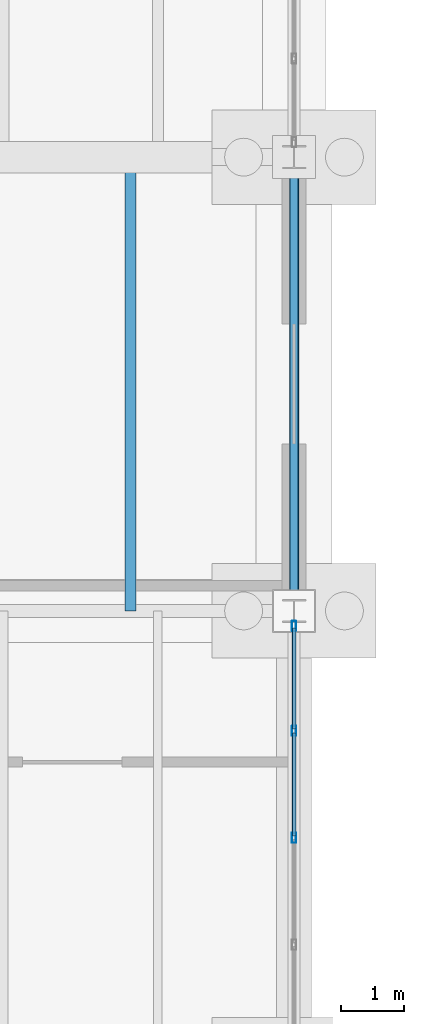
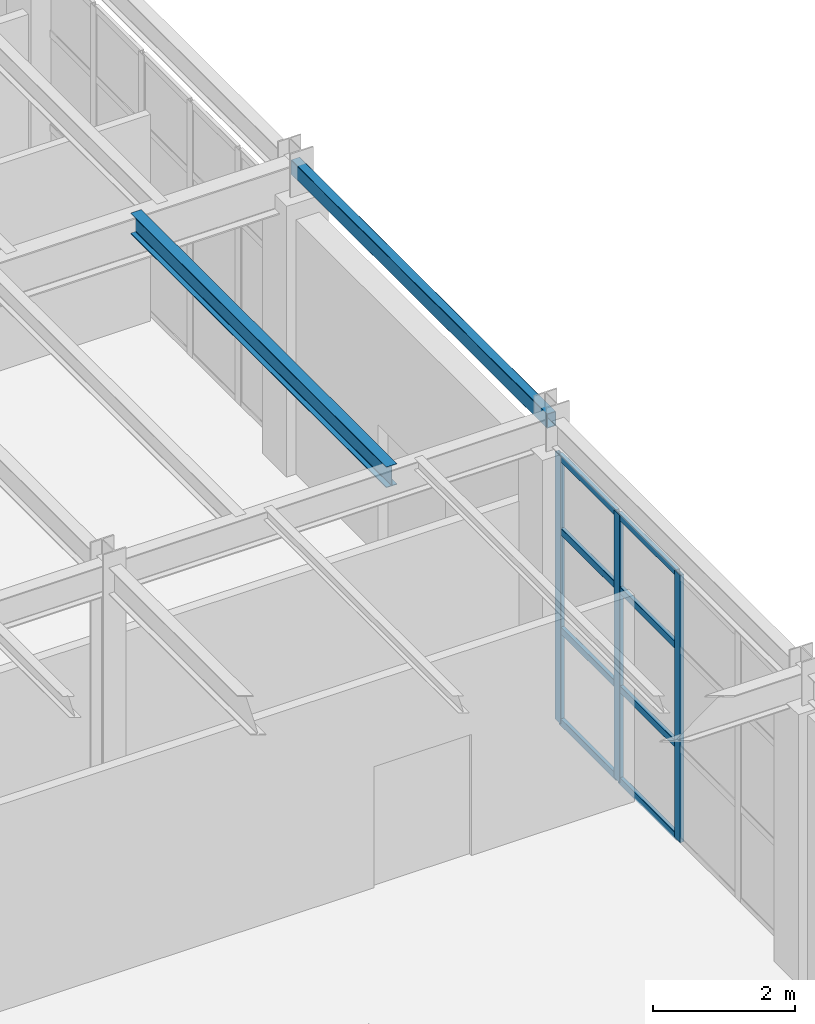
# One storey, part 67 of 293: 11 members, 2 beams, 1 element without a shape of its own.
"""IFC4 building model written with IfcOpenShell, lengths in metres."""

from ifc_helpers import new_model, si_unit, direction, frame, origin, origin_2d, place, context, subcontext, project, spatial, hollow_rectangle, i_section, extrude, material, layer, layer_set, material_profile, profile_set, type_object, element, aggregate, save


model = new_model("IFC4")

# Units and contexts
model_context = context("Model", 3, precision=1e-05, world=origin(), true_north=direction((0.0, 1.0)))
body_context = subcontext(model_context, "Body", "Model", "MODEL_VIEW")
ifc_project = project(units=[si_unit("LENGTHUNIT", "METRE"), si_unit("AREAUNIT", "SQUARE_METRE"), si_unit("VOLUMEUNIT", "CUBIC_METRE"), si_unit("PLANEANGLEUNIT", "RADIAN"), si_unit("MASSUNIT", "GRAM", prefix="KILO")], contexts=[model_context])

# Site, building, storey
site_placement = place(None, origin())
site = spatial("IfcSite", under=ifc_project, at=site_placement, CompositionType="ELEMENT")
building_placement = place(site_placement, origin())
building = spatial("IfcBuilding", under=site, at=building_placement, Name="Kemerveld Promenade Tramway Depot", CompositionType="ELEMENT")
storey_placement = place(building_placement, origin())
storey = spatial("IfcBuildingStorey", under=building, at=storey_placement, Name="L00", CompositionType="ELEMENT", Elevation=0.0)

# Beams
ifc_material_1 = material(Name="Steel S355", Category="steel")
ifc_material_profile_1 = material_profile(ifc_material_1, i_section(OverallWidth=0.172119140625, OverallDepth=0.35791015625, WebThickness=0.008056640625, FlangeThickness=0.012939453125, FilletRadius=0.01025390625, at=origin_2d()), Name="356x171x57 UB")
ifc_profile_set_1 = profile_set([ifc_material_profile_1], Name="Steel S355")
beam_type_1 = type_object("IfcBeamType", Name="BM-J04", PredefinedType="JOIST", material=ifc_profile_set_1)
beam_1_placement = place(storey_placement, frame((55.008056640625, 43.199951171875, 4.970947265625), z_axis=(0.0, 1.0, 0.0), x_axis=(-1.0, 0.0, 0.0)))
element("IfcBeam", 1, at=beam_1_placement, inside=storey, type_object=beam_type_1, Name="JST-L00-08-G-2", PredefinedType="JOIST", context=body_context, shape_type="SweptSolid", body=[
    extrude(i_section(OverallWidth=0.172119140625, OverallDepth=0.35791015625, WebThickness=0.008056640625, FlangeThickness=0.012939453125, FilletRadius=0.01025390625, at=origin_2d()), origin(), (0.0, 0.0, 1.0), 7.199951171875),
])
ifc_material_profile_2 = material_profile(ifc_material_1, hollow_rectangle(XDim=0.14990234375, YDim=0.25, WallThickness=0.010009765625, InnerFilletRadius=0.0048828125, OuterFilletRadius=0.014892578125, at=origin_2d()), Name="250x150x10.0 RHS")
ifc_profile_set_2 = profile_set([ifc_material_profile_2], Name="Steel S355")
beam_type_2 = type_object("IfcBeamType", Name="BM-SP2", PredefinedType="SPANDREL", material=ifc_profile_set_2)
beam_2_placement = place(storey_placement, frame((57.60009765625, 43.199951171875, 5.02490234375), z_axis=(0.0, 1.0, 0.0), x_axis=(-1.0, 0.0, 0.0)))
element("IfcBeam", 2, at=beam_2_placement, inside=storey, type_object=beam_type_2, Name="BMY-L00-09-G-H", PredefinedType="SPANDREL", context=body_context, shape_type="SweptSolid", body=[
    extrude(hollow_rectangle(XDim=0.14990234375, YDim=0.25, WallThickness=0.010009765625, InnerFilletRadius=0.0048828125, OuterFilletRadius=0.014892578125, at=origin_2d()), origin(), (0.0, 0.0, 1.0), 7.199951171875),
])

# Curtain wall, members
ifc_material_2 = material(Name="Bronze anodised aluminium and solar glass", Category="aluminium")
ifc_layer = layer(ifc_material_2, 0.159912109375)
ifc_layer_set = layer_set([ifc_layer], Name="CW-SYS-09")
curtain_wall_type = type_object("IfcCurtainWallType", Name="CW-SYS-09", PredefinedType="USERDEFINED", material=ifc_layer_set)
curtain_wall_placement = place(storey_placement, origin())
curtain_wall = element("IfcCurtainWall", 3, at=curtain_wall_placement, inside=storey, type_object=curtain_wall_type, Name="CW-L00-V5E-06", ObjectType="GLAZED_CURTAIN_WALL", PredefinedType="USERDEFINED")
ifc_material_3 = material(Name="Bronze anodised aluminium", Category="aluminium")
ifc_material_profile_3 = material_profile(ifc_material_3, hollow_rectangle(XDim=0.06494140625, YDim=0.159912109375, WallThickness=0.00390625, InnerFilletRadius=0.001953125, OuterFilletRadius=0.00390625, at=origin_2d()), Name="CW-MUL-160x65")
ifc_profile_set_3 = profile_set([ifc_material_profile_3], Name="Bronze anodised aluminium")
member_type_1 = type_object("IfcMemberType", Name="CW-MUL-A", PredefinedType="MULLION", material=ifc_profile_set_3)
member_1_placement = place(storey_placement, frame((57.60009765625, 42.961181640625, 0.0), z_axis=(0.0, 0.0, 1.0), x_axis=(1.0, 0.0, 0.0)))
member_1 = element("IfcMember", 4, at=member_1_placement, type_object=member_type_1, Name="CW09 mullion 1", PredefinedType="MULLION", context=body_context, shape_type="SweptSolid", body=[
    extrude(hollow_rectangle(XDim=0.06494140625, YDim=0.159912109375, WallThickness=0.00390625, InnerFilletRadius=0.001953125, OuterFilletRadius=0.00390625, at=origin_2d()), origin(), (0.0, 0.0, 1.0), 4.593505859375),
])
member_2_placement = place(storey_placement, frame((57.60009765625, 41.296875, 0.0), z_axis=(0.0, 0.0, 1.0), x_axis=(1.0, 0.0, 0.0)))
member_2 = element("IfcMember", 5, at=member_2_placement, type_object=member_type_1, Name="CW09 mullion 2", PredefinedType="MULLION", context=body_context, shape_type="SweptSolid", body=[
    extrude(hollow_rectangle(XDim=0.06494140625, YDim=0.159912109375, WallThickness=0.00390625, InnerFilletRadius=0.001953125, OuterFilletRadius=0.00390625, at=origin_2d()), origin(), (0.0, 0.0, 1.0), 4.593505859375),
])
member_3_placement = place(storey_placement, frame((57.60009765625, 39.60009765625, 0.0), z_axis=(0.0, 0.0, 1.0), x_axis=(1.0, 0.0, 0.0)))
member_3 = element("IfcMember", 6, at=member_3_placement, type_object=member_type_1, Name="CW09 mullion 3", PredefinedType="MULLION", context=body_context, shape_type="SweptSolid", body=[
    extrude(hollow_rectangle(XDim=0.06494140625, YDim=0.159912109375, WallThickness=0.00390625, InnerFilletRadius=0.001953125, OuterFilletRadius=0.00390625, at=origin_2d()), origin(), (0.0, 0.0, 1.0), 4.593505859375),
])
ifc_material_profile_4 = material_profile(ifc_material_3, hollow_rectangle(XDim=0.06005859375, YDim=0.1201171875, WallThickness=0.00390625, InnerFilletRadius=0.001953125, OuterFilletRadius=0.00390625, at=origin_2d()), Name="CW-TRN-120x60")
ifc_profile_set_4 = profile_set([ifc_material_profile_4], Name="Bronze anodised aluminium")
member_type_2 = type_object("IfcMemberType", Name="CW-TRN-A", PredefinedType="USERDEFINED", material=ifc_profile_set_4)
member_4_placement = place(storey_placement, frame((57.60009765625, 42.9287109375, 0.030029296875), z_axis=(0.0, -1.0, 0.0), x_axis=(1.0, 0.0, 0.0)))
member_4 = element("IfcMember", 7, at=member_4_placement, type_object=member_type_2, Name="CW09 transom 1.1", ObjectType="TRANSOM", PredefinedType="USERDEFINED", context=body_context, shape_type="SweptSolid", body=[
    extrude(hollow_rectangle(XDim=0.06005859375, YDim=0.1201171875, WallThickness=0.00390625, InnerFilletRadius=0.001953125, OuterFilletRadius=0.00390625, at=origin_2d()), origin(), (0.0, 0.0, 1.0), 1.599365234375),
])
member_5_placement = place(storey_placement, frame((57.60009765625, 42.9287109375, 1.60791015625), z_axis=(0.0, -1.0, 0.0), x_axis=(1.0, 0.0, 0.0)))
member_5 = element("IfcMember", 8, at=member_5_placement, type_object=member_type_2, Name="CW09 transom 1.2", ObjectType="TRANSOM", PredefinedType="USERDEFINED", context=body_context, shape_type="SweptSolid", body=[
    extrude(hollow_rectangle(XDim=0.06005859375, YDim=0.1201171875, WallThickness=0.00390625, InnerFilletRadius=0.001953125, OuterFilletRadius=0.00390625, at=origin_2d()), origin(), (0.0, 0.0, 1.0), 1.599365234375),
])
member_6_placement = place(storey_placement, frame((57.60009765625, 42.9287109375, 3.306884765625), z_axis=(0.0, -1.0, 0.0), x_axis=(1.0, 0.0, 0.0)))
member_6 = element("IfcMember", 9, at=member_6_placement, type_object=member_type_2, Name="CW09 transom 1.3", ObjectType="TRANSOM", PredefinedType="USERDEFINED", context=body_context, shape_type="SweptSolid", body=[
    extrude(hollow_rectangle(XDim=0.06005859375, YDim=0.1201171875, WallThickness=0.00390625, InnerFilletRadius=0.001953125, OuterFilletRadius=0.00390625, at=origin_2d()), origin(), (0.0, 0.0, 1.0), 1.599365234375),
])
member_7_placement = place(storey_placement, frame((57.60009765625, 42.9287109375, 4.5634765625), z_axis=(0.0, -1.0, 0.0), x_axis=(1.0, 0.0, 0.0)))
member_7 = element("IfcMember", 10, at=member_7_placement, type_object=member_type_2, Name="CW09 transom 1.4", ObjectType="TRANSOM", PredefinedType="USERDEFINED", context=body_context, shape_type="SweptSolid", body=[
    extrude(hollow_rectangle(XDim=0.06005859375, YDim=0.1201171875, WallThickness=0.00390625, InnerFilletRadius=0.001953125, OuterFilletRadius=0.00390625, at=origin_2d()), origin(), (0.0, 0.0, 1.0), 1.599365234375),
])
member_8_placement = place(storey_placement, frame((57.60009765625, 41.264404296875, 0.030029296875), z_axis=(0.0, -1.0, 0.0), x_axis=(1.0, 0.0, 0.0)))
member_8 = element("IfcMember", 11, at=member_8_placement, type_object=member_type_2, Name="CW09 transom 2.1", ObjectType="TRANSOM", PredefinedType="USERDEFINED", context=body_context, shape_type="SweptSolid", body=[
    extrude(hollow_rectangle(XDim=0.06005859375, YDim=0.1201171875, WallThickness=0.00390625, InnerFilletRadius=0.001953125, OuterFilletRadius=0.00390625, at=origin_2d()), origin(), (0.0, 0.0, 1.0), 1.6318359375),
])
member_9_placement = place(storey_placement, frame((57.60009765625, 41.264404296875, 1.60791015625), z_axis=(0.0, -1.0, 0.0), x_axis=(1.0, 0.0, 0.0)))
member_9 = element("IfcMember", 12, at=member_9_placement, type_object=member_type_2, Name="CW09 transom 2.2", ObjectType="TRANSOM", PredefinedType="USERDEFINED", context=body_context, shape_type="SweptSolid", body=[
    extrude(hollow_rectangle(XDim=0.06005859375, YDim=0.1201171875, WallThickness=0.00390625, InnerFilletRadius=0.001953125, OuterFilletRadius=0.00390625, at=origin_2d()), origin(), (0.0, 0.0, 1.0), 1.6318359375),
])
member_10_placement = place(storey_placement, frame((57.60009765625, 41.264404296875, 3.306884765625), z_axis=(0.0, -1.0, 0.0), x_axis=(1.0, 0.0, 0.0)))
member_10 = element("IfcMember", 13, at=member_10_placement, type_object=member_type_2, Name="CW09 transom 2.3", ObjectType="TRANSOM", PredefinedType="USERDEFINED", context=body_context, shape_type="SweptSolid", body=[
    extrude(hollow_rectangle(XDim=0.06005859375, YDim=0.1201171875, WallThickness=0.00390625, InnerFilletRadius=0.001953125, OuterFilletRadius=0.00390625, at=origin_2d()), origin(), (0.0, 0.0, 1.0), 1.6318359375),
])
member_11_placement = place(storey_placement, frame((57.60009765625, 41.264404296875, 4.5634765625), z_axis=(0.0, -1.0, 0.0), x_axis=(1.0, 0.0, 0.0)))
member_11 = element("IfcMember", 14, at=member_11_placement, type_object=member_type_2, Name="CW09 transom 2.4", ObjectType="TRANSOM", PredefinedType="USERDEFINED", context=body_context, shape_type="SweptSolid", body=[
    extrude(hollow_rectangle(XDim=0.06005859375, YDim=0.1201171875, WallThickness=0.00390625, InnerFilletRadius=0.001953125, OuterFilletRadius=0.00390625, at=origin_2d()), origin(), (0.0, 0.0, 1.0), 1.6318359375),
])
aggregate(curtain_wall, [member_1, member_2, member_3, member_4, member_5, member_6, member_7, member_8, member_9, member_10, member_11])

save(model, "model.ifc")
